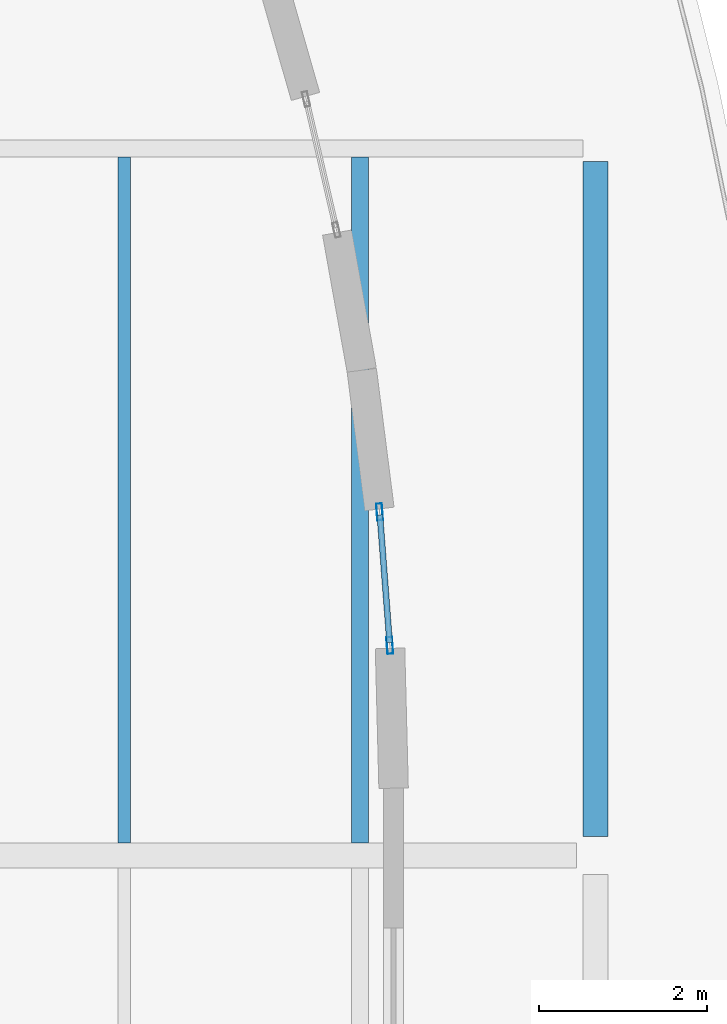
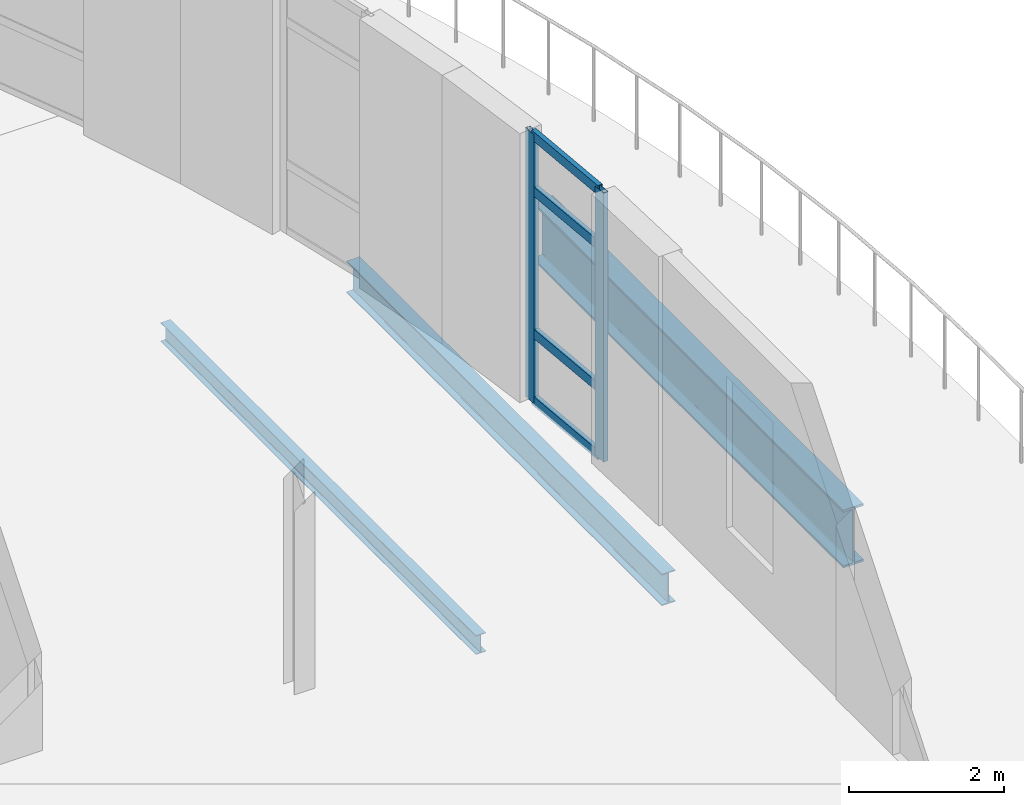
# One storey, part 13 of 40: 6 members, 3 beams, 1 element without a shape of its own.
"""IFC4 building model written with IfcOpenShell, lengths in metres."""

import ifcopenshell
import ifcopenshell.guid

model = None  # the IFC model being written
_history = None  # IfcOwnerHistory: only IFC2X3 demands one
_inside = {}  # id of a spatial element -> (the spatial element, [elements in it])
_under = {}  # id of a project, library or spatial element -> (it, [spatial elements below it])
_declared = {}  # id of a project -> (the project, [libraries it declares])
_typed = {}  # id of a type object -> (the type object, [elements of that type])
_made_of = {}  # id of a material, layer set ... -> (it, [elements and type objects made of it])


def new_model(schema):
    """Start an empty IFC model of exactly this schema.

    Asked for "IFC4X3", IfcOpenShell would pick the latest addendum, in which some entities
    have other attributes; the version numbers below select the first issue.
    IFC2X3 requires an IfcOwnerHistory on every rooted entity: one is made here for all.
    """
    global model, _history
    if schema == "IFC4X3":
        model = ifcopenshell.file(schema_version=(4, 3, 0, 0))
    else:
        model = ifcopenshell.file(schema=schema)
    _inside.clear()
    _under.clear()
    _declared.clear()
    _typed.clear()
    _made_of.clear()
    _history = None
    if model.schema == "IFC2X3":
        org = make("IfcOrganization", Name="unknown")
        user = make(
            "IfcPersonAndOrganization",
            ThePerson=make("IfcPerson", FamilyName="unknown"),
            TheOrganization=org,
        )
        app = make(
            "IfcApplication",
            ApplicationDeveloper=org,
            Version="unknown",
            ApplicationFullName="unknown",
            ApplicationIdentifier="unknown",
        )
        _history = make(
            "IfcOwnerHistory",
            OwningUser=user,
            OwningApplication=app,
            ChangeAction="ADDED",
            CreationDate=0,
        )
    return model


def make(cls, **values):
    """One entity of the class cls with the attributes given. An attribute that is None is left unset."""
    return model.create_entity(
        cls, **{name: value for name, value in values.items() if value is not None}
    )


def rooted(cls, **values):
    """An entity with a GlobalId (a new one), such as an element, a storey or a relation."""
    return make(cls, GlobalId=ifcopenshell.guid.new(), OwnerHistory=_history, **values)


def si_unit(unit_type, name, prefix=None):
    """IfcSIUnit, for example si_unit("LENGTHUNIT", "METRE", prefix="MILLI")."""
    return make("IfcSIUnit", UnitType=unit_type, Prefix=prefix, Name=name)


def assignment(units):
    """IfcUnitAssignment: the units of a project."""
    return None if units is None else make("IfcUnitAssignment", Units=units)


def point(xyz):
    """IfcCartesianPoint."""
    return None if xyz is None else make("IfcCartesianPoint", Coordinates=xyz)


def direction(xyz):
    """IfcDirection."""
    return None if xyz is None else make("IfcDirection", DirectionRatios=xyz)


def frame(location, z_axis=None, x_axis=None):
    """IfcAxis2Placement3D, a coordinate frame: its origin and axes. An axis left out is left unset."""
    return make(
        "IfcAxis2Placement3D",
        Location=point(location),
        Axis=direction(z_axis),
        RefDirection=direction(x_axis),
    )


def frame_2d(location, x_axis=None):
    """IfcAxis2Placement2D, a coordinate frame in the plane: its origin and x axis."""
    return make(
        "IfcAxis2Placement2D", Location=point(location), RefDirection=direction(x_axis)
    )


def origin():
    """The frame at (0, 0, 0) with its axes left unset."""
    return frame((0.0, 0.0, 0.0))


def origin_2d():
    """The frame at (0, 0) in the plane with its x axis left unset."""
    return frame_2d((0.0, 0.0))


def place(relative_to, where):
    """IfcLocalPlacement: puts the frame where relative to a parent placement (None: the world)."""
    return make(
        "IfcLocalPlacement", PlacementRelTo=relative_to, RelativePlacement=where
    )


def context(
    kind, dimensions, precision=None, world=None, true_north=None, identifier=None
):
    """IfcGeometricRepresentationContext, for example the 3D "Model" context."""
    return make(
        "IfcGeometricRepresentationContext",
        ContextIdentifier=identifier,
        ContextType=kind,
        CoordinateSpaceDimension=dimensions,
        Precision=precision,
        WorldCoordinateSystem=world,
        TrueNorth=true_north,
    )


def subcontext(parent, identifier, kind, view, scale=None):
    """IfcGeometricRepresentationSubContext, for example "Body" below "Model"."""
    return make(
        "IfcGeometricRepresentationSubContext",
        ContextIdentifier=identifier,
        ContextType=kind,
        ParentContext=parent,
        TargetScale=scale,
        TargetView=view,
    )


def project(units=None, contexts=None):
    """IfcProject with its units and contexts."""
    return rooted(
        "IfcProject",
        Name="project",
        RepresentationContexts=contexts,
        UnitsInContext=assignment(units),
    )


def spatial(cls, under=None, at=None, **own):
    """A site, building, storey or space (cls), placed at a placement, below another one or the project."""
    s = rooted(cls, ObjectPlacement=at, **own)
    if under is not None:
        _under.setdefault(under.id(), (under, []))[1].append(s)
    return s


def profile(cls, at=None, kind="AREA", **sizes):
    """A parametric profile (cls). Its sizes go by their IFC names, for example OverallWidth=200.0."""
    return make(cls, ProfileType=kind, Position=at, **sizes)


def hollow_rectangle(**sizes):
    """IfcRectangleHollowProfileDef."""
    return profile("IfcRectangleHollowProfileDef", **sizes)


def i_section(**sizes):
    """IfcIShapeProfileDef."""
    return profile("IfcIShapeProfileDef", **sizes)


def extrude(swept, where, along, depth):
    """IfcExtrudedAreaSolid: the profile swept, set in the frame where, extruded along a direction by depth."""
    return make(
        "IfcExtrudedAreaSolid",
        SweptArea=swept,
        Position=where,
        ExtrudedDirection=direction(along),
        Depth=depth,
    )


def shape(context_of_items, identifier, shape_type, items):
    """IfcShapeRepresentation: the items that make up one representation, for example the "Body"."""
    return make(
        "IfcShapeRepresentation",
        ContextOfItems=context_of_items,
        RepresentationIdentifier=identifier,
        RepresentationType=shape_type,
        Items=items,
    )


def material(Name=None, Category=None):
    """IfcMaterial."""
    return make("IfcMaterial", Name=Name, Category=Category)


def layer(
    of_material, thickness, ventilated=None, Name=None, Category=None, Priority=None
):
    """IfcMaterialLayer: one layer of a wall or slab, of a material (None: an air gap)."""
    return make(
        "IfcMaterialLayer",
        Material=of_material,
        LayerThickness=thickness,
        IsVentilated=ventilated,
        Name=Name,
        Category=Category,
        Priority=Priority,
    )


def layer_set(layers, Name=None):
    """IfcMaterialLayerSet."""
    return make("IfcMaterialLayerSet", MaterialLayers=layers, LayerSetName=Name)


def material_profile(
    of_material, cross_section, Name=None, Category=None, Priority=None
):
    """IfcMaterialProfile: a cross section and its material."""
    return make(
        "IfcMaterialProfile",
        Name=Name,
        Material=of_material,
        Profile=cross_section,
        Priority=Priority,
        Category=Category,
    )


def profile_set(profiles, Name=None, composite=None):
    """IfcMaterialProfileSet."""
    return make(
        "IfcMaterialProfileSet",
        Name=Name,
        MaterialProfiles=profiles,
        CompositeProfile=composite,
    )


def made_of(thing, what):
    """Note that an element or type object is made of a material, layer set ...; save() writes the relation."""
    if what is not None:
        _made_of.setdefault(what.id(), (what, []))[1].append(thing)
    return thing


def type_object(cls, material=None, **own):
    """A type object (cls), such as IfcWallType, which elements share."""
    return made_of(rooted(cls, **own), material)


def element(
    cls,
    number,
    at=None,
    inside=None,
    cuts=None,
    type_object=None,
    material=None,
    context=None,
    identifier="Body",
    shape_type=None,
    held_by="IfcProductDefinitionShape",
    body=None,
    shapes=None,
    **own,
):
    """One element of the class cls, such as IfcWall. Its Tag is "e" and its number.

    at: its placement. inside: the storey or other place that contains it. cuts: it is an
    opening in that element (IfcRelVoidsElement). A single representation is given by context,
    identifier, shape_type and body (its items); several are given by shapes. held_by: the class
    of the entity that holds the representations. save() writes the other relations.
    """
    e = rooted(cls, Tag="e%d" % number, ObjectPlacement=at, **own)
    if body is not None:
        shapes = [shape(context, identifier, shape_type, body)]
    if shapes is not None:
        e.Representation = make(held_by, Representations=shapes)
    if inside is not None:
        _inside.setdefault(inside.id(), (inside, []))[1].append(e)
    if cuts is not None:
        rooted(
            "IfcRelVoidsElement", RelatingBuildingElement=cuts, RelatedOpeningElement=e
        )
    if type_object is not None:
        _typed.setdefault(type_object.id(), (type_object, []))[1].append(e)
    return made_of(e, material)


def aggregate(whole, parts):
    """IfcRelAggregates: a whole, such as a stair, and the parts it consists of."""
    return rooted("IfcRelAggregates", RelatingObject=whole, RelatedObjects=parts)


def save(model, path):
    """Write the relations noted so far, then the file.

    IfcRelAggregates (storeys below a building ...), IfcRelContainedInSpatialStructure (elements
    in a storey), IfcRelDefinesByType, IfcRelAssociatesMaterial and IfcRelDeclares: one each for
    every whole, place, type object, material and project.
    """
    for whole, parts in _under.values():
        aggregate(whole, parts)
    for where, things in _inside.values():
        rooted(
            "IfcRelContainedInSpatialStructure",
            RelatedElements=things,
            RelatingStructure=where,
        )
    for kind, things in _typed.values():
        rooted("IfcRelDefinesByType", RelatedObjects=things, RelatingType=kind)
    for what, things in _made_of.values():
        rooted("IfcRelAssociatesMaterial", RelatedObjects=things, RelatingMaterial=what)
    for by, libraries in _declared.values():
        rooted("IfcRelDeclares", RelatingContext=by, RelatedDefinitions=libraries)
    model.write(path)


model = new_model("IFC4")

# Units and contexts
model_context = context("Model", 3, precision=1e-05, world=origin(), true_north=direction((0.0, 1.0)))
body_context = subcontext(model_context, "Body", "Model", "MODEL_VIEW")
ifc_project = project(units=[si_unit("LENGTHUNIT", "METRE"), si_unit("AREAUNIT", "SQUARE_METRE"), si_unit("VOLUMEUNIT", "CUBIC_METRE"), si_unit("PLANEANGLEUNIT", "RADIAN"), si_unit("MASSUNIT", "GRAM", prefix="KILO"), si_unit("THERMODYNAMICTEMPERATUREUNIT", "KELVIN")], contexts=[model_context])

# Site, building, storey
site_placement = place(None, origin())
site = spatial("IfcSite", under=ifc_project, at=site_placement, CompositionType="ELEMENT")
building_placement = place(site_placement, origin())
building = spatial("IfcBuilding", under=site, at=building_placement, Name="Lustrewick Department Store", CompositionType="ELEMENT")
storey_placement = place(building_placement, frame((0.0, 0.0, 31.800048828125)))
storey = spatial("IfcBuildingStorey", under=building, at=storey_placement, Name="L07", CompositionType="ELEMENT", Elevation=31.800048828125)

# Beams
ifc_material_1 = material(Name="Structural steel Q355B", Category="steel")
ifc_material_profile_1 = material_profile(ifc_material_1, i_section(OverallWidth=0.199951171875, OverallDepth=0.5, WebThickness=0.010009765625, FlangeThickness=0.01611328125, FilletRadius=0.01611328125, at=origin_2d()), Name="HN 500x200x10x16")
ifc_profile_set_1 = profile_set([ifc_material_profile_1], Name="Structural steel Q355B")
beam_type_1 = type_object("IfcBeamType", Name="B01", PredefinedType="JOIST", material=ifc_profile_set_1)
beam_1_placement = place(storey_placement, frame((148.39990234375, 58.949951171875, -0.505126953125), z_axis=(0.0, 1.0, 0.0), x_axis=(-1.0, 0.0, 0.0)))
element("IfcBeam", 1, at=beam_1_placement, inside=storey, type_object=beam_type_1, Name="L07 V4 Secondary Joist B01", PredefinedType="JOIST", context=body_context, shape_type="SweptSolid", body=[
    extrude(i_section(OverallWidth=0.199951171875, OverallDepth=0.5, WebThickness=0.010009765625, FlangeThickness=0.01611328125, FilletRadius=0.01611328125, at=origin_2d()), origin(), (0.0, 0.0, 1.0), 8.149658203125),
])
ifc_material_profile_2 = material_profile(ifc_material_1, i_section(OverallWidth=0.14990234375, OverallDepth=0.300048828125, WebThickness=0.006591796875, FlangeThickness=0.009033203125, FilletRadius=0.011962890625, at=origin_2d()), Name="HN 300x150x6.5x9")
ifc_profile_set_2 = profile_set([ifc_material_profile_2], Name="Structural steel Q355B")
beam_type_2 = type_object("IfcBeamType", Name="B11", PredefinedType="JOIST", material=ifc_profile_set_2)
beam_2_placement = place(storey_placement, frame((145.60009765625, 58.949951171875, -0.405029296875), z_axis=(0.0, 1.0, 0.0), x_axis=(-1.0, 0.0, 0.0)))
element("IfcBeam", 2, at=beam_2_placement, inside=storey, type_object=beam_type_2, Name="L07 V4 Secondary Joist B11", PredefinedType="JOIST", context=body_context, shape_type="SweptSolid", body=[
    extrude(i_section(OverallWidth=0.14990234375, OverallDepth=0.300048828125, WebThickness=0.006591796875, FlangeThickness=0.009033203125, FilletRadius=0.011962890625, at=origin_2d()), origin(), (0.0, 0.0, 1.0), 8.149658203125),
])

# Curtain wall, members
ifc_material_2 = material(Name="Thermally broken aluminium 6063-T5", Category="aluminium")
ifc_layer = layer(ifc_material_2, 0.199951171875, Name="Thermally broken aluminium 6063-T5")
ifc_layer_set = layer_set([ifc_layer], Name="Thermally broken aluminium 6063-T5")
curtain_wall_type = type_object("IfcCurtainWallType", Name="CW10", PredefinedType="NOTDEFINED", material=ifc_layer_set)
curtain_wall_placement = place(storey_placement, origin())
curtain_wall = element("IfcCurtainWall", 3, at=curtain_wall_placement, inside=storey, type_object=curtain_wall_type, Name="L07 V4 Curtain Wall CW10", PredefinedType="NOTDEFINED")
ifc_material_profile_3 = material_profile(ifc_material_2, hollow_rectangle(XDim=0.070068359375, YDim=0.199951171875, WallThickness=0.00390625, at=origin_2d()), Name="ALU-M 70x200x4")
ifc_profile_set_3 = profile_set([ifc_material_profile_3], Name="Thermally broken aluminium 6063-T5")
member_type_1 = type_object("IfcMemberType", Name="CW10-M1", PredefinedType="MULLION", material=ifc_profile_set_3)
member_1_placement = place(storey_placement, frame((148.755126953125, 61.296142578125, 0.0), z_axis=(0.0, 0.0, 1.0), x_axis=(-0.997112251798, -0.075941802158, 0.0)))
member_1 = element("IfcMember", 4, at=member_1_placement, type_object=member_type_1, Name="CW10 mullion 1", PredefinedType="MULLION", context=body_context, shape_type="SweptSolid", body=[
    extrude(hollow_rectangle(XDim=0.070068359375, YDim=0.199951171875, WallThickness=0.00390625, at=origin_2d()), origin(), (0.0, 0.0, 1.0), 4.244873046875),
])
member_2_placement = place(storey_placement, frame((148.63427734375, 62.88330078125, 0.0), z_axis=(0.0, 0.0, 1.0), x_axis=(-0.997112251798, -0.075941802158, 0.0)))
member_2 = element("IfcMember", 5, at=member_2_placement, type_object=member_type_1, Name="CW10 mullion 2", PredefinedType="MULLION", context=body_context, shape_type="SweptSolid", body=[
    extrude(hollow_rectangle(XDim=0.070068359375, YDim=0.199951171875, WallThickness=0.00390625, at=origin_2d()), origin(), (0.0, 0.0, 1.0), 4.244873046875),
])
ifc_material_profile_4 = material_profile(ifc_material_2, hollow_rectangle(XDim=0.070068359375, YDim=0.14990234375, WallThickness=0.00390625, at=origin_2d()), Name="ALU-T 70x150x4")
ifc_profile_set_4 = profile_set([ifc_material_profile_4], Name="Thermally broken aluminium 6063-T5")
member_type_2 = type_object("IfcMemberType", Name="CW10-T1", PredefinedType="USERDEFINED", material=ifc_profile_set_4)
member_3_placement = place(storey_placement, frame((148.752685546875, 61.3310546875, 0.034912109375), z_axis=(-0.076046248457, 0.997104291484, 0.0), x_axis=(-0.997104291484, -0.076046248457, 0.0)))
member_3 = element("IfcMember", 6, at=member_3_placement, type_object=member_type_2, Name="CW10 transom 1.1", ObjectType="TRANSOM", PredefinedType="USERDEFINED", context=body_context, shape_type="SweptSolid", body=[
    extrude(hollow_rectangle(XDim=0.070068359375, YDim=0.14990234375, WallThickness=0.00390625, at=origin_2d()), origin(), (0.0, 0.0, 1.0), 1.521728515625),
])
member_4_placement = place(storey_placement, frame((148.752685546875, 61.3310546875, 1.099853515625), z_axis=(-0.076046248457, 0.997104291484, 0.0), x_axis=(-0.997104291484, -0.076046248457, 0.0)))
member_4 = element("IfcMember", 7, at=member_4_placement, type_object=member_type_2, Name="CW10 transom 1.2", ObjectType="TRANSOM", PredefinedType="USERDEFINED", context=body_context, shape_type="SweptSolid", body=[
    extrude(hollow_rectangle(XDim=0.070068359375, YDim=0.14990234375, WallThickness=0.00390625, at=origin_2d()), origin(), (0.0, 0.0, 1.0), 1.521728515625),
])
member_5_placement = place(storey_placement, frame((148.752685546875, 61.3310546875, 3.344970703125), z_axis=(-0.076046248457, 0.997104291484, 0.0), x_axis=(-0.997104291484, -0.076046248457, 0.0)))
member_5 = element("IfcMember", 8, at=member_5_placement, type_object=member_type_2, Name="CW10 transom 1.3", ObjectType="TRANSOM", PredefinedType="USERDEFINED", context=body_context, shape_type="SweptSolid", body=[
    extrude(hollow_rectangle(XDim=0.070068359375, YDim=0.14990234375, WallThickness=0.00390625, at=origin_2d()), origin(), (0.0, 0.0, 1.0), 1.521728515625),
])
member_6_placement = place(storey_placement, frame((148.752685546875, 61.3310546875, 4.2099609375), z_axis=(-0.076046248457, 0.997104291484, 0.0), x_axis=(-0.997104291484, -0.076046248457, 0.0)))
member_6 = element("IfcMember", 9, at=member_6_placement, type_object=member_type_2, Name="CW10 transom 1.4", ObjectType="TRANSOM", PredefinedType="USERDEFINED", context=body_context, shape_type="SweptSolid", body=[
    extrude(hollow_rectangle(XDim=0.070068359375, YDim=0.14990234375, WallThickness=0.00390625, at=origin_2d()), origin(), (0.0, 0.0, 1.0), 1.521728515625),
])
aggregate(curtain_wall, [member_1, member_2, member_3, member_4, member_5, member_6])

# Beam
ifc_material_3 = material(Name="Structural steel Q355C", Category="steel")
ifc_material_profile_5 = material_profile(ifc_material_3, i_section(OverallWidth=0.302001953125, OverallDepth=0.912109375, WebThickness=0.01806640625, FlangeThickness=0.033935546875, FilletRadius=0.02392578125, at=origin_2d()), Name="HN 912x302x18x34")
ifc_profile_set_5 = profile_set([ifc_material_profile_5], Name="Structural steel Q355C")
beam_type_3 = type_object("IfcBeamType", Name="G01", PredefinedType="BEAM", material=ifc_profile_set_5)
beam_3_placement = place(storey_placement, frame((151.199951171875, 59.02490234375, -0.7109375), z_axis=(0.0, 1.0, 0.0), x_axis=(-1.0, 0.0, 0.0)))
element("IfcBeam", 10, at=beam_3_placement, inside=storey, type_object=beam_type_3, Name="L07 V4 Girder G01", PredefinedType="BEAM", context=body_context, shape_type="SweptSolid", body=[
    extrude(i_section(OverallWidth=0.302001953125, OverallDepth=0.912109375, WebThickness=0.01806640625, FlangeThickness=0.033935546875, FilletRadius=0.02392578125, at=origin_2d()), origin(), (0.0, 0.0, 1.0), 8.025146484375),
])

save(model, "model.ifc")
